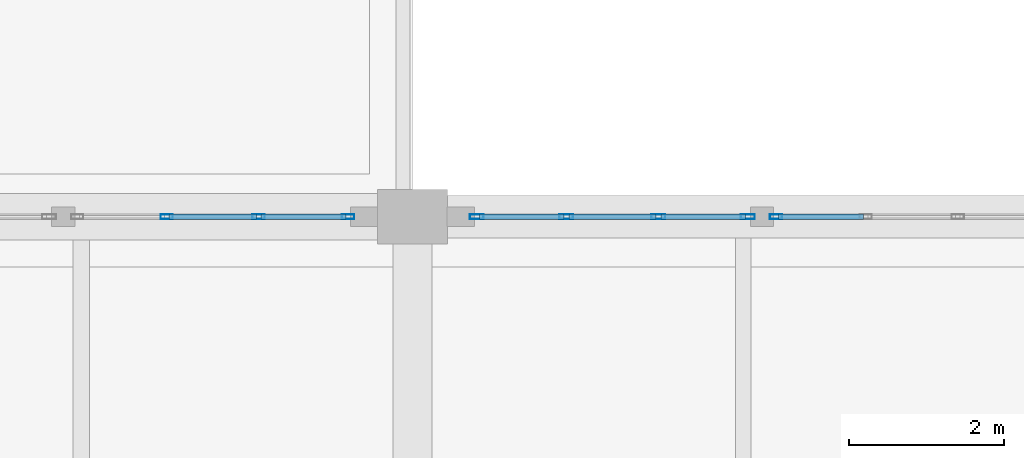
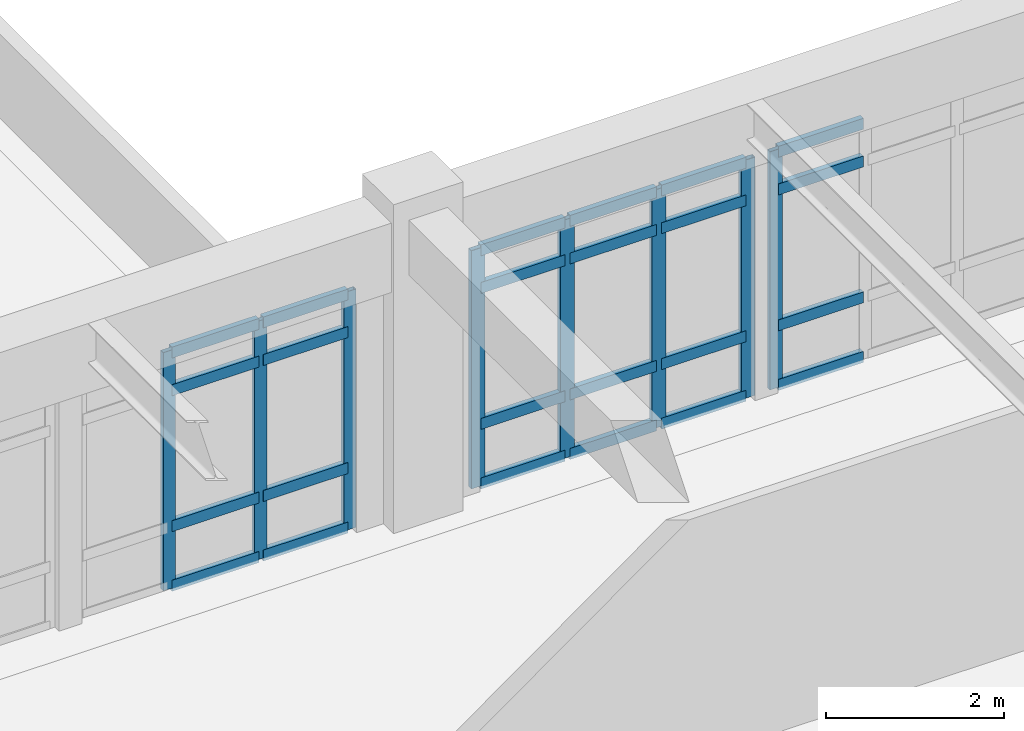
# One storey, part 61 of 109: 32 members, 3 elements without a shape of their own.
"""IFC4 building model written with IfcOpenShell, lengths in metres."""

import ifcopenshell
import ifcopenshell.guid

model = None  # the IFC model being written
_history = None  # IfcOwnerHistory: only IFC2X3 demands one
_inside = {}  # id of a spatial element -> (the spatial element, [elements in it])
_under = {}  # id of a project, library or spatial element -> (it, [spatial elements below it])
_declared = {}  # id of a project -> (the project, [libraries it declares])
_typed = {}  # id of a type object -> (the type object, [elements of that type])
_made_of = {}  # id of a material, layer set ... -> (it, [elements and type objects made of it])


def new_model(schema):
    """Start an empty IFC model of exactly this schema.

    Asked for "IFC4X3", IfcOpenShell would pick the latest addendum, in which some entities
    have other attributes; the version numbers below select the first issue.
    IFC2X3 requires an IfcOwnerHistory on every rooted entity: one is made here for all.
    """
    global model, _history
    if schema == "IFC4X3":
        model = ifcopenshell.file(schema_version=(4, 3, 0, 0))
    else:
        model = ifcopenshell.file(schema=schema)
    _inside.clear()
    _under.clear()
    _declared.clear()
    _typed.clear()
    _made_of.clear()
    _history = None
    if model.schema == "IFC2X3":
        org = make("IfcOrganization", Name="unknown")
        user = make(
            "IfcPersonAndOrganization",
            ThePerson=make("IfcPerson", FamilyName="unknown"),
            TheOrganization=org,
        )
        app = make(
            "IfcApplication",
            ApplicationDeveloper=org,
            Version="unknown",
            ApplicationFullName="unknown",
            ApplicationIdentifier="unknown",
        )
        _history = make(
            "IfcOwnerHistory",
            OwningUser=user,
            OwningApplication=app,
            ChangeAction="ADDED",
            CreationDate=0,
        )
    return model


def make(cls, **values):
    """One entity of the class cls with the attributes given. An attribute that is None is left unset."""
    return model.create_entity(
        cls, **{name: value for name, value in values.items() if value is not None}
    )


def rooted(cls, **values):
    """An entity with a GlobalId (a new one), such as an element, a storey or a relation."""
    return make(cls, GlobalId=ifcopenshell.guid.new(), OwnerHistory=_history, **values)


def si_unit(unit_type, name, prefix=None):
    """IfcSIUnit, for example si_unit("LENGTHUNIT", "METRE", prefix="MILLI")."""
    return make("IfcSIUnit", UnitType=unit_type, Prefix=prefix, Name=name)


def assignment(units):
    """IfcUnitAssignment: the units of a project."""
    return None if units is None else make("IfcUnitAssignment", Units=units)


def point(xyz):
    """IfcCartesianPoint."""
    return None if xyz is None else make("IfcCartesianPoint", Coordinates=xyz)


def direction(xyz):
    """IfcDirection."""
    return None if xyz is None else make("IfcDirection", DirectionRatios=xyz)


def frame(location, z_axis=None, x_axis=None):
    """IfcAxis2Placement3D, a coordinate frame: its origin and axes. An axis left out is left unset."""
    return make(
        "IfcAxis2Placement3D",
        Location=point(location),
        Axis=direction(z_axis),
        RefDirection=direction(x_axis),
    )


def frame_2d(location, x_axis=None):
    """IfcAxis2Placement2D, a coordinate frame in the plane: its origin and x axis."""
    return make(
        "IfcAxis2Placement2D", Location=point(location), RefDirection=direction(x_axis)
    )


def origin():
    """The frame at (0, 0, 0) with its axes left unset."""
    return frame((0.0, 0.0, 0.0))


def origin_2d():
    """The frame at (0, 0) in the plane with its x axis left unset."""
    return frame_2d((0.0, 0.0))


def place(relative_to, where):
    """IfcLocalPlacement: puts the frame where relative to a parent placement (None: the world)."""
    return make(
        "IfcLocalPlacement", PlacementRelTo=relative_to, RelativePlacement=where
    )


def context(
    kind, dimensions, precision=None, world=None, true_north=None, identifier=None
):
    """IfcGeometricRepresentationContext, for example the 3D "Model" context."""
    return make(
        "IfcGeometricRepresentationContext",
        ContextIdentifier=identifier,
        ContextType=kind,
        CoordinateSpaceDimension=dimensions,
        Precision=precision,
        WorldCoordinateSystem=world,
        TrueNorth=true_north,
    )


def subcontext(parent, identifier, kind, view, scale=None):
    """IfcGeometricRepresentationSubContext, for example "Body" below "Model"."""
    return make(
        "IfcGeometricRepresentationSubContext",
        ContextIdentifier=identifier,
        ContextType=kind,
        ParentContext=parent,
        TargetScale=scale,
        TargetView=view,
    )


def project(units=None, contexts=None):
    """IfcProject with its units and contexts."""
    return rooted(
        "IfcProject",
        Name="project",
        RepresentationContexts=contexts,
        UnitsInContext=assignment(units),
    )


def spatial(cls, under=None, at=None, **own):
    """A site, building, storey or space (cls), placed at a placement, below another one or the project."""
    s = rooted(cls, ObjectPlacement=at, **own)
    if under is not None:
        _under.setdefault(under.id(), (under, []))[1].append(s)
    return s


def profile(cls, at=None, kind="AREA", **sizes):
    """A parametric profile (cls). Its sizes go by their IFC names, for example OverallWidth=200.0."""
    return make(cls, ProfileType=kind, Position=at, **sizes)


def hollow_rectangle(**sizes):
    """IfcRectangleHollowProfileDef."""
    return profile("IfcRectangleHollowProfileDef", **sizes)


def extrude(swept, where, along, depth):
    """IfcExtrudedAreaSolid: the profile swept, set in the frame where, extruded along a direction by depth."""
    return make(
        "IfcExtrudedAreaSolid",
        SweptArea=swept,
        Position=where,
        ExtrudedDirection=direction(along),
        Depth=depth,
    )


def shape(context_of_items, identifier, shape_type, items):
    """IfcShapeRepresentation: the items that make up one representation, for example the "Body"."""
    return make(
        "IfcShapeRepresentation",
        ContextOfItems=context_of_items,
        RepresentationIdentifier=identifier,
        RepresentationType=shape_type,
        Items=items,
    )


def material(Name=None, Category=None):
    """IfcMaterial."""
    return make("IfcMaterial", Name=Name, Category=Category)


def layer(
    of_material, thickness, ventilated=None, Name=None, Category=None, Priority=None
):
    """IfcMaterialLayer: one layer of a wall or slab, of a material (None: an air gap)."""
    return make(
        "IfcMaterialLayer",
        Material=of_material,
        LayerThickness=thickness,
        IsVentilated=ventilated,
        Name=Name,
        Category=Category,
        Priority=Priority,
    )


def layer_set(layers, Name=None):
    """IfcMaterialLayerSet."""
    return make("IfcMaterialLayerSet", MaterialLayers=layers, LayerSetName=Name)


def material_profile(
    of_material, cross_section, Name=None, Category=None, Priority=None
):
    """IfcMaterialProfile: a cross section and its material."""
    return make(
        "IfcMaterialProfile",
        Name=Name,
        Material=of_material,
        Profile=cross_section,
        Priority=Priority,
        Category=Category,
    )


def profile_set(profiles, Name=None, composite=None):
    """IfcMaterialProfileSet."""
    return make(
        "IfcMaterialProfileSet",
        Name=Name,
        MaterialProfiles=profiles,
        CompositeProfile=composite,
    )


def made_of(thing, what):
    """Note that an element or type object is made of a material, layer set ...; save() writes the relation."""
    if what is not None:
        _made_of.setdefault(what.id(), (what, []))[1].append(thing)
    return thing


def type_object(cls, material=None, **own):
    """A type object (cls), such as IfcWallType, which elements share."""
    return made_of(rooted(cls, **own), material)


def element(
    cls,
    number,
    at=None,
    inside=None,
    cuts=None,
    type_object=None,
    material=None,
    context=None,
    identifier="Body",
    shape_type=None,
    held_by="IfcProductDefinitionShape",
    body=None,
    shapes=None,
    **own,
):
    """One element of the class cls, such as IfcWall. Its Tag is "e" and its number.

    at: its placement. inside: the storey or other place that contains it. cuts: it is an
    opening in that element (IfcRelVoidsElement). A single representation is given by context,
    identifier, shape_type and body (its items); several are given by shapes. held_by: the class
    of the entity that holds the representations. save() writes the other relations.
    """
    e = rooted(cls, Tag="e%d" % number, ObjectPlacement=at, **own)
    if body is not None:
        shapes = [shape(context, identifier, shape_type, body)]
    if shapes is not None:
        e.Representation = make(held_by, Representations=shapes)
    if inside is not None:
        _inside.setdefault(inside.id(), (inside, []))[1].append(e)
    if cuts is not None:
        rooted(
            "IfcRelVoidsElement", RelatingBuildingElement=cuts, RelatedOpeningElement=e
        )
    if type_object is not None:
        _typed.setdefault(type_object.id(), (type_object, []))[1].append(e)
    return made_of(e, material)


def aggregate(whole, parts):
    """IfcRelAggregates: a whole, such as a stair, and the parts it consists of."""
    return rooted("IfcRelAggregates", RelatingObject=whole, RelatedObjects=parts)


def save(model, path):
    """Write the relations noted so far, then the file.

    IfcRelAggregates (storeys below a building ...), IfcRelContainedInSpatialStructure (elements
    in a storey), IfcRelDefinesByType, IfcRelAssociatesMaterial and IfcRelDeclares: one each for
    every whole, place, type object, material and project.
    """
    for whole, parts in _under.values():
        aggregate(whole, parts)
    for where, things in _inside.values():
        rooted(
            "IfcRelContainedInSpatialStructure",
            RelatedElements=things,
            RelatingStructure=where,
        )
    for kind, things in _typed.values():
        rooted("IfcRelDefinesByType", RelatedObjects=things, RelatingType=kind)
    for what, things in _made_of.values():
        rooted("IfcRelAssociatesMaterial", RelatedObjects=things, RelatingMaterial=what)
    for by, libraries in _declared.values():
        rooted("IfcRelDeclares", RelatingContext=by, RelatedDefinitions=libraries)
    model.write(path)


model = new_model("IFC4")

# Units and contexts
model_context = context("Model", 3, precision=1e-05, world=origin(), true_north=direction((0.0, 1.0)))
body_context = subcontext(model_context, "Body", "Model", "MODEL_VIEW")
ifc_project = project(units=[si_unit("LENGTHUNIT", "METRE"), si_unit("AREAUNIT", "SQUARE_METRE"), si_unit("VOLUMEUNIT", "CUBIC_METRE"), si_unit("PLANEANGLEUNIT", "RADIAN"), si_unit("MASSUNIT", "GRAM", prefix="KILO")], contexts=[model_context])

# Site, building, storey
site_placement = place(None, origin())
site = spatial("IfcSite", under=ifc_project, at=site_placement, CompositionType="ELEMENT")
building_placement = place(site_placement, origin())
building = spatial("IfcBuilding", under=site, at=building_placement, Name="Fikremerkos Civic Library", CompositionType="ELEMENT")
storey_placement = place(building_placement, frame((0.0, 0.0, 5.39990234375)))
storey = spatial("IfcBuildingStorey", under=building, at=storey_placement, Name="L01", CompositionType="ELEMENT", Elevation=5.39990234375)

# Curtain wall, members
ifc_material = material(Name="Anodized aluminium Frame", Category="aluminium")
ifc_layer_1 = layer(ifc_material, 0.159912109375, Name="Anodized aluminium Frame")
ifc_layer_set_1 = layer_set([ifc_layer_1], Name="Anodized aluminium Frame")
curtain_wall_type_1 = type_object("IfcCurtainWallType", Name="Unitised curtain wall CW-01 3600x3600", PredefinedType="USERDEFINED", material=ifc_layer_set_1)
curtain_wall_1_placement = place(storey_placement, origin())
curtain_wall_1 = element("IfcCurtainWall", 1, at=curtain_wall_1_placement, inside=storey, type_object=curtain_wall_type_1, Name="Unitised curtain wall CW-01 L01 #109", ObjectType="UNITISED CURTAIN WALL", PredefinedType="USERDEFINED")
ifc_material_profile_1 = material_profile(ifc_material, hollow_rectangle(XDim=0.06494140625, YDim=0.179931640625, WallThickness=0.00439453125, at=origin_2d()), Name="ALU 180x65x4.5")
ifc_profile_set_1 = profile_set([ifc_material_profile_1], Name="Anodized aluminium Frame")
member_type_1 = type_object("IfcMemberType", Name="Curtain mullion CWM-01 ALU 180x65x4.5", PredefinedType="MULLION", material=ifc_profile_set_1)
member_1_placement = place(storey_placement, frame((148.030517578125, 40.800048828125, 0.0), z_axis=(0.0, 0.0, 1.0), x_axis=(0.0, 1.0, 0.0)))
member_1 = element("IfcMember", 2, at=member_1_placement, type_object=member_type_1, Name="CW-01 mullion 1", PredefinedType="MULLION", context=body_context, shape_type="SweptSolid", body=[
    extrude(hollow_rectangle(XDim=0.06494140625, YDim=0.179931640625, WallThickness=0.00439453125, at=origin_2d()), origin(), (0.0, 0.0, 1.0), 3.260009765625),
])
member_2_placement = place(storey_placement, frame((149.1845703125, 40.800048828125, 0.0), z_axis=(0.0, 0.0, 1.0), x_axis=(0.0, 1.0, 0.0)))
member_2 = element("IfcMember", 3, at=member_2_placement, type_object=member_type_1, Name="CW-01 mullion 2", PredefinedType="MULLION", context=body_context, shape_type="SweptSolid", body=[
    extrude(hollow_rectangle(XDim=0.06494140625, YDim=0.179931640625, WallThickness=0.00439453125, at=origin_2d()), origin(), (0.0, 0.0, 1.0), 3.260009765625),
])
member_3_placement = place(storey_placement, frame((150.37109375, 40.800048828125, 0.0), z_axis=(0.0, 0.0, 1.0), x_axis=(0.0, 1.0, 0.0)))
member_3 = element("IfcMember", 4, at=member_3_placement, type_object=member_type_1, Name="CW-01 mullion 3", PredefinedType="MULLION", context=body_context, shape_type="SweptSolid", body=[
    extrude(hollow_rectangle(XDim=0.06494140625, YDim=0.179931640625, WallThickness=0.00439453125, at=origin_2d()), origin(), (0.0, 0.0, 1.0), 3.260009765625),
])
member_4_placement = place(storey_placement, frame((151.525146484375, 40.800048828125, 0.0), z_axis=(0.0, 0.0, 1.0), x_axis=(0.0, 1.0, 0.0)))
member_4 = element("IfcMember", 5, at=member_4_placement, type_object=member_type_1, Name="CW-01 mullion 4", PredefinedType="MULLION", context=body_context, shape_type="SweptSolid", body=[
    extrude(hollow_rectangle(XDim=0.06494140625, YDim=0.179931640625, WallThickness=0.00439453125, at=origin_2d()), origin(), (0.0, 0.0, 1.0), 3.260009765625),
])

ifc_layer_2 = layer(ifc_material, 0.159912109375, Name="Anodized aluminium Frame")
ifc_layer_set_2 = layer_set([ifc_layer_2], Name="Anodized aluminium Frame")
curtain_wall_type_2 = type_object("IfcCurtainWallType", Name="Unitised curtain wall CW-18 2700x3400", PredefinedType="USERDEFINED", material=ifc_layer_set_2)
curtain_wall_2_placement = place(storey_placement, origin())
curtain_wall_2 = element("IfcCurtainWall", 6, at=curtain_wall_2_placement, inside=storey, type_object=curtain_wall_type_2, Name="Unitised curtain wall CW-18 L01 #108", ObjectType="UNITISED CURTAIN WALL", PredefinedType="USERDEFINED")
ifc_material_profile_2 = material_profile(ifc_material, hollow_rectangle(XDim=0.06005859375, YDim=0.159912109375, WallThickness=0.00390625, at=origin_2d()), Name="ALU 160x60x4")
ifc_profile_set_2 = profile_set([ifc_material_profile_2], Name="Anodized aluminium Frame")
member_type_2 = type_object("IfcMemberType", Name="Curtain mullion CWM-02 ALU 160x60x4", PredefinedType="MULLION", material=ifc_profile_set_2)
member_5_placement = place(storey_placement, frame((144.034423828125, 40.800048828125, 0.0), z_axis=(0.0, 0.0, 1.0), x_axis=(0.0, 1.0, 0.0)))
member_5 = element("IfcMember", 7, at=member_5_placement, type_object=member_type_2, Name="CW-18 mullion 2", PredefinedType="MULLION", context=body_context, shape_type="SweptSolid", body=[
    extrude(hollow_rectangle(XDim=0.06005859375, YDim=0.159912109375, WallThickness=0.00390625, at=origin_2d()), origin(), (0.0, 0.0, 1.0), 3.260009765625),
])
member_6_placement = place(storey_placement, frame((145.21826171875, 40.800048828125, 0.0), z_axis=(0.0, 0.0, 1.0), x_axis=(0.0, 1.0, 0.0)))
member_6 = element("IfcMember", 8, at=member_6_placement, type_object=member_type_2, Name="CW-18 mullion 3", PredefinedType="MULLION", context=body_context, shape_type="SweptSolid", body=[
    extrude(hollow_rectangle(XDim=0.06005859375, YDim=0.159912109375, WallThickness=0.00390625, at=origin_2d()), origin(), (0.0, 0.0, 1.0), 3.260009765625),
])
member_7_placement = place(storey_placement, frame((146.3720703125, 40.800048828125, 0.0), z_axis=(0.0, 0.0, 1.0), x_axis=(0.0, 1.0, 0.0)))
member_7 = element("IfcMember", 9, at=member_7_placement, type_object=member_type_2, Name="CW-18 mullion 4", PredefinedType="MULLION", context=body_context, shape_type="SweptSolid", body=[
    extrude(hollow_rectangle(XDim=0.06005859375, YDim=0.159912109375, WallThickness=0.00390625, at=origin_2d()), origin(), (0.0, 0.0, 1.0), 3.260009765625),
])

# Curtain wall, member
ifc_layer_3 = layer(ifc_material, 0.159912109375, Name="Anodized aluminium Frame")
ifc_layer_set_3 = layer_set([ifc_layer_3], Name="Anodized aluminium Frame")
curtain_wall_type_3 = type_object("IfcCurtainWallType", Name="Unitised curtain wall CW-02 3900x3600", PredefinedType="USERDEFINED", material=ifc_layer_set_3)
curtain_wall_3_placement = place(storey_placement, origin())
curtain_wall_3 = element("IfcCurtainWall", 10, at=curtain_wall_3_placement, inside=storey, type_object=curtain_wall_type_3, Name="Unitised curtain wall CW-02 L01 #110", ObjectType="UNITISED CURTAIN WALL", PredefinedType="USERDEFINED")
member_8_placement = place(storey_placement, frame((151.8876953125, 40.800048828125, 0.0), z_axis=(0.0, 0.0, 1.0), x_axis=(0.0, 1.0, 0.0)))
member_8 = element("IfcMember", 11, at=member_8_placement, type_object=member_type_2, Name="CW-02 mullion 1", PredefinedType="MULLION", context=body_context, shape_type="SweptSolid", body=[
    extrude(hollow_rectangle(XDim=0.06005859375, YDim=0.159912109375, WallThickness=0.00390625, at=origin_2d()), origin(), (0.0, 0.0, 1.0), 3.260009765625),
])

# Member
ifc_material_profile_3 = material_profile(ifc_material, hollow_rectangle(XDim=0.070068359375, YDim=0.14990234375, WallThickness=0.00439453125, at=origin_2d()), Name="ALU 150x70x4.5")
ifc_profile_set_3 = profile_set([ifc_material_profile_3], Name="Anodized aluminium Frame")
member_type_3 = type_object("IfcMemberType", Name="Curtain transom CWT-01 ALU 150x70x4.5", PredefinedType="USERDEFINED", material=ifc_profile_set_3)
member_9_placement = place(storey_placement, frame((144.064453125, 40.800048828125, 0.03515625), z_axis=(1.0, 0.0, 0.0), x_axis=(0.0, 1.0, 0.0)))
member_9 = element("IfcMember", 12, at=member_9_placement, type_object=member_type_3, Name="CW-18 transom 2.1", ObjectType="TRANSOM", PredefinedType="USERDEFINED", context=body_context, shape_type="SweptSolid", body=[
    extrude(hollow_rectangle(XDim=0.070068359375, YDim=0.14990234375, WallThickness=0.00439453125, at=origin_2d()), origin(), (0.0, 0.0, 1.0), 1.123779296875),
])

member_10_placement = place(storey_placement, frame((144.064453125, 40.800048828125, 0.85009765625), z_axis=(1.0, 0.0, 0.0), x_axis=(0.0, 1.0, 0.0)))
member_10 = element("IfcMember", 13, at=member_10_placement, type_object=member_type_3, Name="CW-18 transom 2.2", ObjectType="TRANSOM", PredefinedType="USERDEFINED", context=body_context, shape_type="SweptSolid", body=[
    extrude(hollow_rectangle(XDim=0.070068359375, YDim=0.14990234375, WallThickness=0.00439453125, at=origin_2d()), origin(), (0.0, 0.0, 1.0), 1.123779296875),
])

member_11_placement = place(storey_placement, frame((144.064453125, 40.800048828125, 2.710205078125), z_axis=(1.0, 0.0, 0.0), x_axis=(0.0, 1.0, 0.0)))
member_11 = element("IfcMember", 14, at=member_11_placement, type_object=member_type_3, Name="CW-18 transom 2.3", ObjectType="TRANSOM", PredefinedType="USERDEFINED", context=body_context, shape_type="SweptSolid", body=[
    extrude(hollow_rectangle(XDim=0.070068359375, YDim=0.14990234375, WallThickness=0.00439453125, at=origin_2d()), origin(), (0.0, 0.0, 1.0), 1.123779296875),
])

member_12_placement = place(storey_placement, frame((144.064453125, 40.800048828125, 3.22509765625), z_axis=(1.0, 0.0, 0.0), x_axis=(0.0, 1.0, 0.0)))
member_12 = element("IfcMember", 15, at=member_12_placement, type_object=member_type_3, Name="CW-18 transom 2.4", ObjectType="TRANSOM", PredefinedType="USERDEFINED", context=body_context, shape_type="SweptSolid", body=[
    extrude(hollow_rectangle(XDim=0.070068359375, YDim=0.14990234375, WallThickness=0.00439453125, at=origin_2d()), origin(), (0.0, 0.0, 1.0), 1.123779296875),
])

member_13_placement = place(storey_placement, frame((145.248291015625, 40.800048828125, 0.03515625), z_axis=(1.0, 0.0, 0.0), x_axis=(0.0, 1.0, 0.0)))
member_13 = element("IfcMember", 16, at=member_13_placement, type_object=member_type_3, Name="CW-18 transom 3.1", ObjectType="TRANSOM", PredefinedType="USERDEFINED", context=body_context, shape_type="SweptSolid", body=[
    extrude(hollow_rectangle(XDim=0.070068359375, YDim=0.14990234375, WallThickness=0.00439453125, at=origin_2d()), origin(), (0.0, 0.0, 1.0), 1.09375),
])

member_14_placement = place(storey_placement, frame((145.248291015625, 40.800048828125, 0.85009765625), z_axis=(1.0, 0.0, 0.0), x_axis=(0.0, 1.0, 0.0)))
member_14 = element("IfcMember", 17, at=member_14_placement, type_object=member_type_3, Name="CW-18 transom 3.2", ObjectType="TRANSOM", PredefinedType="USERDEFINED", context=body_context, shape_type="SweptSolid", body=[
    extrude(hollow_rectangle(XDim=0.070068359375, YDim=0.14990234375, WallThickness=0.00439453125, at=origin_2d()), origin(), (0.0, 0.0, 1.0), 1.09375),
])

member_15_placement = place(storey_placement, frame((145.248291015625, 40.800048828125, 2.710205078125), z_axis=(1.0, 0.0, 0.0), x_axis=(0.0, 1.0, 0.0)))
member_15 = element("IfcMember", 18, at=member_15_placement, type_object=member_type_3, Name="CW-18 transom 3.3", ObjectType="TRANSOM", PredefinedType="USERDEFINED", context=body_context, shape_type="SweptSolid", body=[
    extrude(hollow_rectangle(XDim=0.070068359375, YDim=0.14990234375, WallThickness=0.00439453125, at=origin_2d()), origin(), (0.0, 0.0, 1.0), 1.09375),
])

member_16_placement = place(storey_placement, frame((145.248291015625, 40.800048828125, 3.22509765625), z_axis=(1.0, 0.0, 0.0), x_axis=(0.0, 1.0, 0.0)))
member_16 = element("IfcMember", 19, at=member_16_placement, type_object=member_type_3, Name="CW-18 transom 3.4", ObjectType="TRANSOM", PredefinedType="USERDEFINED", context=body_context, shape_type="SweptSolid", body=[
    extrude(hollow_rectangle(XDim=0.070068359375, YDim=0.14990234375, WallThickness=0.00439453125, at=origin_2d()), origin(), (0.0, 0.0, 1.0), 1.09375),
])

aggregate(curtain_wall_2, [member_5, member_6, member_7, member_9, member_10, member_11, member_12, member_13, member_14, member_15, member_16])

member_17_placement = place(storey_placement, frame((148.06298828125, 40.800048828125, 0.03515625), z_axis=(1.0, 0.0, 0.0), x_axis=(0.0, 1.0, 0.0)))
member_17 = element("IfcMember", 20, at=member_17_placement, type_object=member_type_3, Name="CW-01 transom 1.1", ObjectType="TRANSOM", PredefinedType="USERDEFINED", context=body_context, shape_type="SweptSolid", body=[
    extrude(hollow_rectangle(XDim=0.070068359375, YDim=0.14990234375, WallThickness=0.00439453125, at=origin_2d()), origin(), (0.0, 0.0, 1.0), 1.089111328125),
])

member_18_placement = place(storey_placement, frame((148.06298828125, 40.800048828125, 0.85009765625), z_axis=(1.0, 0.0, 0.0), x_axis=(0.0, 1.0, 0.0)))
member_18 = element("IfcMember", 21, at=member_18_placement, type_object=member_type_3, Name="CW-01 transom 1.2", ObjectType="TRANSOM", PredefinedType="USERDEFINED", context=body_context, shape_type="SweptSolid", body=[
    extrude(hollow_rectangle(XDim=0.070068359375, YDim=0.14990234375, WallThickness=0.00439453125, at=origin_2d()), origin(), (0.0, 0.0, 1.0), 1.089111328125),
])

member_19_placement = place(storey_placement, frame((148.06298828125, 40.800048828125, 2.710205078125), z_axis=(1.0, 0.0, 0.0), x_axis=(0.0, 1.0, 0.0)))
member_19 = element("IfcMember", 22, at=member_19_placement, type_object=member_type_3, Name="CW-01 transom 1.3", ObjectType="TRANSOM", PredefinedType="USERDEFINED", context=body_context, shape_type="SweptSolid", body=[
    extrude(hollow_rectangle(XDim=0.070068359375, YDim=0.14990234375, WallThickness=0.00439453125, at=origin_2d()), origin(), (0.0, 0.0, 1.0), 1.089111328125),
])

member_20_placement = place(storey_placement, frame((148.06298828125, 40.800048828125, 3.22509765625), z_axis=(1.0, 0.0, 0.0), x_axis=(0.0, 1.0, 0.0)))
member_20 = element("IfcMember", 23, at=member_20_placement, type_object=member_type_3, Name="CW-01 transom 1.4", ObjectType="TRANSOM", PredefinedType="USERDEFINED", context=body_context, shape_type="SweptSolid", body=[
    extrude(hollow_rectangle(XDim=0.070068359375, YDim=0.14990234375, WallThickness=0.00439453125, at=origin_2d()), origin(), (0.0, 0.0, 1.0), 1.089111328125),
])

member_21_placement = place(storey_placement, frame((149.217041015625, 40.800048828125, 0.03515625), z_axis=(1.0, 0.0, 0.0), x_axis=(0.0, 1.0, 0.0)))
member_21 = element("IfcMember", 24, at=member_21_placement, type_object=member_type_3, Name="CW-01 transom 2.1", ObjectType="TRANSOM", PredefinedType="USERDEFINED", context=body_context, shape_type="SweptSolid", body=[
    extrude(hollow_rectangle(XDim=0.070068359375, YDim=0.14990234375, WallThickness=0.00439453125, at=origin_2d()), origin(), (0.0, 0.0, 1.0), 1.12158203125),
])

member_22_placement = place(storey_placement, frame((149.217041015625, 40.800048828125, 0.85009765625), z_axis=(1.0, 0.0, 0.0), x_axis=(0.0, 1.0, 0.0)))
member_22 = element("IfcMember", 25, at=member_22_placement, type_object=member_type_3, Name="CW-01 transom 2.2", ObjectType="TRANSOM", PredefinedType="USERDEFINED", context=body_context, shape_type="SweptSolid", body=[
    extrude(hollow_rectangle(XDim=0.070068359375, YDim=0.14990234375, WallThickness=0.00439453125, at=origin_2d()), origin(), (0.0, 0.0, 1.0), 1.12158203125),
])

member_23_placement = place(storey_placement, frame((149.217041015625, 40.800048828125, 2.710205078125), z_axis=(1.0, 0.0, 0.0), x_axis=(0.0, 1.0, 0.0)))
member_23 = element("IfcMember", 26, at=member_23_placement, type_object=member_type_3, Name="CW-01 transom 2.3", ObjectType="TRANSOM", PredefinedType="USERDEFINED", context=body_context, shape_type="SweptSolid", body=[
    extrude(hollow_rectangle(XDim=0.070068359375, YDim=0.14990234375, WallThickness=0.00439453125, at=origin_2d()), origin(), (0.0, 0.0, 1.0), 1.12158203125),
])

member_24_placement = place(storey_placement, frame((149.217041015625, 40.800048828125, 3.22509765625), z_axis=(1.0, 0.0, 0.0), x_axis=(0.0, 1.0, 0.0)))
member_24 = element("IfcMember", 27, at=member_24_placement, type_object=member_type_3, Name="CW-01 transom 2.4", ObjectType="TRANSOM", PredefinedType="USERDEFINED", context=body_context, shape_type="SweptSolid", body=[
    extrude(hollow_rectangle(XDim=0.070068359375, YDim=0.14990234375, WallThickness=0.00439453125, at=origin_2d()), origin(), (0.0, 0.0, 1.0), 1.12158203125),
])

member_25_placement = place(storey_placement, frame((150.403564453125, 40.800048828125, 0.03515625), z_axis=(1.0, 0.0, 0.0), x_axis=(0.0, 1.0, 0.0)))
member_25 = element("IfcMember", 28, at=member_25_placement, type_object=member_type_3, Name="CW-01 transom 3.1", ObjectType="TRANSOM", PredefinedType="USERDEFINED", context=body_context, shape_type="SweptSolid", body=[
    extrude(hollow_rectangle(XDim=0.070068359375, YDim=0.14990234375, WallThickness=0.00439453125, at=origin_2d()), origin(), (0.0, 0.0, 1.0), 1.089111328125),
])

member_26_placement = place(storey_placement, frame((150.403564453125, 40.800048828125, 0.85009765625), z_axis=(1.0, 0.0, 0.0), x_axis=(0.0, 1.0, 0.0)))
member_26 = element("IfcMember", 29, at=member_26_placement, type_object=member_type_3, Name="CW-01 transom 3.2", ObjectType="TRANSOM", PredefinedType="USERDEFINED", context=body_context, shape_type="SweptSolid", body=[
    extrude(hollow_rectangle(XDim=0.070068359375, YDim=0.14990234375, WallThickness=0.00439453125, at=origin_2d()), origin(), (0.0, 0.0, 1.0), 1.089111328125),
])

member_27_placement = place(storey_placement, frame((150.403564453125, 40.800048828125, 2.710205078125), z_axis=(1.0, 0.0, 0.0), x_axis=(0.0, 1.0, 0.0)))
member_27 = element("IfcMember", 30, at=member_27_placement, type_object=member_type_3, Name="CW-01 transom 3.3", ObjectType="TRANSOM", PredefinedType="USERDEFINED", context=body_context, shape_type="SweptSolid", body=[
    extrude(hollow_rectangle(XDim=0.070068359375, YDim=0.14990234375, WallThickness=0.00439453125, at=origin_2d()), origin(), (0.0, 0.0, 1.0), 1.089111328125),
])

member_28_placement = place(storey_placement, frame((150.403564453125, 40.800048828125, 3.22509765625), z_axis=(1.0, 0.0, 0.0), x_axis=(0.0, 1.0, 0.0)))
member_28 = element("IfcMember", 31, at=member_28_placement, type_object=member_type_3, Name="CW-01 transom 3.4", ObjectType="TRANSOM", PredefinedType="USERDEFINED", context=body_context, shape_type="SweptSolid", body=[
    extrude(hollow_rectangle(XDim=0.070068359375, YDim=0.14990234375, WallThickness=0.00439453125, at=origin_2d()), origin(), (0.0, 0.0, 1.0), 1.089111328125),
])

aggregate(curtain_wall_1, [member_1, member_2, member_3, member_4, member_17, member_18, member_19, member_20, member_21, member_22, member_23, member_24, member_25, member_26, member_27, member_28])

member_29_placement = place(storey_placement, frame((151.917724609375, 40.800048828125, 0.03515625), z_axis=(1.0, 0.0, 0.0), x_axis=(0.0, 1.0, 0.0)))
member_29 = element("IfcMember", 32, at=member_29_placement, type_object=member_type_3, Name="CW-02 transom 1.1", ObjectType="TRANSOM", PredefinedType="USERDEFINED", context=body_context, shape_type="SweptSolid", body=[
    extrude(hollow_rectangle(XDim=0.070068359375, YDim=0.14990234375, WallThickness=0.00439453125, at=origin_2d()), origin(), (0.0, 0.0, 1.0), 1.096435546875),
])

member_30_placement = place(storey_placement, frame((151.917724609375, 40.800048828125, 0.85009765625), z_axis=(1.0, 0.0, 0.0), x_axis=(0.0, 1.0, 0.0)))
member_30 = element("IfcMember", 33, at=member_30_placement, type_object=member_type_3, Name="CW-02 transom 1.2", ObjectType="TRANSOM", PredefinedType="USERDEFINED", context=body_context, shape_type="SweptSolid", body=[
    extrude(hollow_rectangle(XDim=0.070068359375, YDim=0.14990234375, WallThickness=0.00439453125, at=origin_2d()), origin(), (0.0, 0.0, 1.0), 1.096435546875),
])

member_31_placement = place(storey_placement, frame((151.917724609375, 40.800048828125, 2.710205078125), z_axis=(1.0, 0.0, 0.0), x_axis=(0.0, 1.0, 0.0)))
member_31 = element("IfcMember", 34, at=member_31_placement, type_object=member_type_3, Name="CW-02 transom 1.3", ObjectType="TRANSOM", PredefinedType="USERDEFINED", context=body_context, shape_type="SweptSolid", body=[
    extrude(hollow_rectangle(XDim=0.070068359375, YDim=0.14990234375, WallThickness=0.00439453125, at=origin_2d()), origin(), (0.0, 0.0, 1.0), 1.096435546875),
])

member_32_placement = place(storey_placement, frame((151.917724609375, 40.800048828125, 3.22509765625), z_axis=(1.0, 0.0, 0.0), x_axis=(0.0, 1.0, 0.0)))
member_32 = element("IfcMember", 35, at=member_32_placement, type_object=member_type_3, Name="CW-02 transom 1.4", ObjectType="TRANSOM", PredefinedType="USERDEFINED", context=body_context, shape_type="SweptSolid", body=[
    extrude(hollow_rectangle(XDim=0.070068359375, YDim=0.14990234375, WallThickness=0.00439453125, at=origin_2d()), origin(), (0.0, 0.0, 1.0), 1.096435546875),
])

aggregate(curtain_wall_3, [member_8, member_29, member_30, member_31, member_32])

save(model, "model.ifc")
